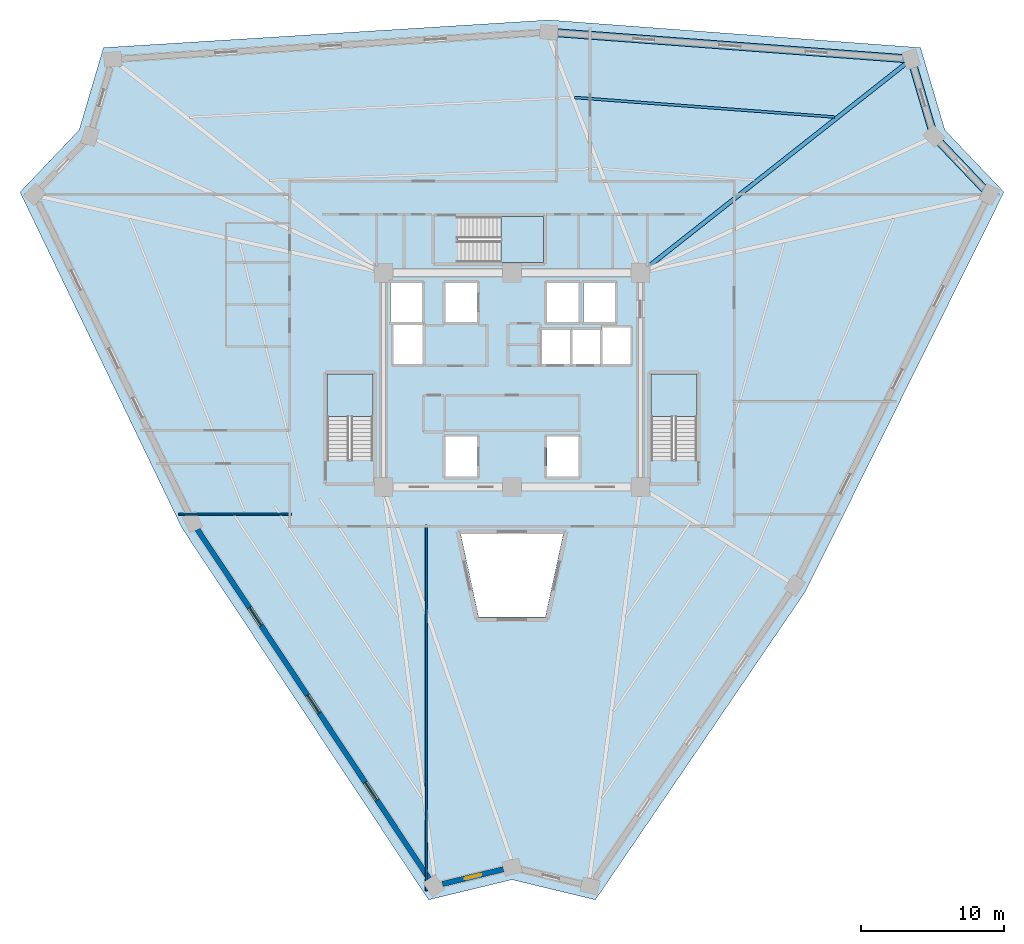
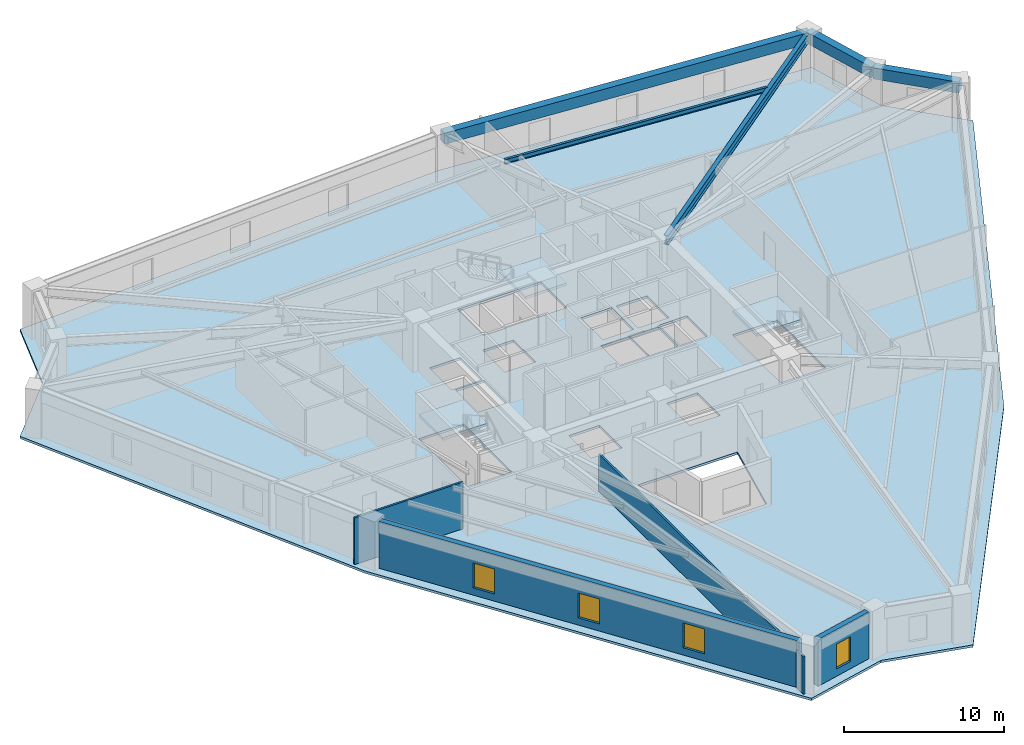
# One storey, part 2 of 8: 5 beams, 4 slabs, 4 walls, 4 windows, 4 openings, 3 elements without a shape of their own.
"""IFC4 building model written with IfcOpenShell, lengths in metres."""

from ifc_helpers import new_model, si_unit, direction, frame, frame_2d, origin, origin_2d, place, context, subcontext, project, spatial, polyline, rectangle, i_section, outline, extrude, source, transform, mapped, material, layer, layer_set, material_profile, profile_set, type_object, element, fill, aggregate, save


model = new_model("IFC4")

# Units and contexts
model_context = context("Model", 3, precision=1e-05, world=origin(), true_north=direction((0.0, 1.0)))
body_context = subcontext(model_context, "Body", "Model", "MODEL_VIEW")
ifc_project = project(units=[si_unit("LENGTHUNIT", "METRE"), si_unit("AREAUNIT", "SQUARE_METRE"), si_unit("VOLUMEUNIT", "CUBIC_METRE"), si_unit("PLANEANGLEUNIT", "RADIAN"), si_unit("MASSUNIT", "GRAM", prefix="KILO")], contexts=[model_context])

# Site, building, storey
site_placement = place(None, origin())
site = spatial("IfcSite", under=ifc_project, at=site_placement, CompositionType="ELEMENT")
building_placement = place(site_placement, origin())
building = spatial("IfcBuilding", under=site, at=building_placement, Name="Liaohun Quay Tower", CompositionType="ELEMENT")
storey_placement = place(building_placement, frame((0.0, 0.0, 220.5)))
storey = spatial("IfcBuildingStorey", under=building, at=storey_placement, Name="L57", CompositionType="ELEMENT", Elevation=220.5)

# Beams
ifc_material_1 = material(Name="Precast concrete C50", Category="concrete")
ifc_material_profile_1 = material_profile(ifc_material_1, rectangle(XDim=0.550048828125, YDim=0.85009765625, at=origin_2d()), Name="RC550x850")
ifc_profile_set_1 = profile_set([ifc_material_profile_1], Name="Precast concrete C50")
beam_type_1 = type_object("IfcBeamType", Name="BM-SPD-Z3", PredefinedType="SPANDREL", material=ifc_profile_set_1)
shared_shape_1 = source(origin(), body_context, "Body", "SweptSolid", [
    extrude(rectangle(XDim=0.550048828125, YDim=0.85009765625, at=origin_2d()), origin(), (0.0, 0.0, 1.0), 25.450927734375),
])
beam_1_placement = place(storey_placement, frame((62.569091796875, 78.340087890625, 3.14501953125), z_axis=(0.997244200205, -0.074188982728, 0.0), x_axis=(0.074188982728, 0.997244200205, 0.0)))
element("IfcBeam", 1, at=beam_1_placement, inside=storey, type_object=beam_type_1, Name="L57 Precast Spandrel Beam PC06-PC07", PredefinedType="SPANDREL", context=body_context, shape_type="MappedRepresentation", body=[
    mapped(shared_shape_1, transform((0.0, 0.0, 0.0), x_axis=(1.0, 0.0, 0.0), y_axis=(0.0, 1.0, 0.0), z_axis=(0.0, 0.0, 1.0), scale=1.0)),
])
shared_shape_2 = source(origin(), body_context, "Body", "SweptSolid", [
    extrude(rectangle(XDim=0.550048828125, YDim=0.85009765625, at=origin_2d()), origin(), (0.0, 0.0, 1.0), 5.626708984375),
])
beam_2_placement = place(storey_placement, frame((87.949951171875, 76.451904296875, 3.14501953125), z_axis=(0.282774698991, -0.959186358124, 0.0), x_axis=(0.959186358124, 0.282774698991, 0.0)))
element("IfcBeam", 2, at=beam_2_placement, inside=storey, type_object=beam_type_1, Name="L57 Precast Spandrel Beam PC07-PC08", PredefinedType="SPANDREL", context=body_context, shape_type="MappedRepresentation", body=[
    mapped(shared_shape_2, transform((0.0, 0.0, 0.0), x_axis=(1.0, 0.0, 0.0), y_axis=(0.0, 1.0, 0.0), z_axis=(0.0, 0.0, 1.0), scale=1.0)),
])
shared_shape_3 = source(origin(), body_context, "Body", "SweptSolid", [
    extrude(rectangle(XDim=0.550048828125, YDim=0.85009765625, at=origin_2d()), origin(), (0.0, 0.0, 1.0), 5.6181640625),
])
beam_3_placement = place(storey_placement, frame((89.541015625, 71.054931640625, 3.14501953125), z_axis=(0.689377337455, -0.724402434151, 0.0), x_axis=(0.724402434151, 0.689377337455, 0.0)))
element("IfcBeam", 3, at=beam_3_placement, inside=storey, type_object=beam_type_1, Name="L57 Precast Spandrel Beam PC08-PC09", PredefinedType="SPANDREL", context=body_context, shape_type="MappedRepresentation", body=[
    mapped(shared_shape_3, transform((0.0, 0.0, 0.0), x_axis=(1.0, 0.0, 0.0), y_axis=(0.0, 1.0, 0.0), z_axis=(0.0, 0.0, 1.0), scale=1.0)),
])
ifc_material_2 = material(Name="Steel Q355D", Category="steel")
ifc_material_profile_2 = material_profile(ifc_material_2, i_section(OverallWidth=0.300048828125, OverallDepth=0.699951171875, WebThickness=0.012939453125, FlangeThickness=0.02392578125, at=origin_2d()), Name="HN700x300x13x24")
ifc_profile_set_2 = profile_set([ifc_material_profile_2], Name="Steel Q355D")
beam_type_2 = type_object("IfcBeamType", Name="BM-RAD-U1", PredefinedType="BEAM", material=ifc_profile_set_2)
shared_shape_4 = source(origin(), body_context, "Body", "SweptSolid", [
    extrude(i_section(OverallWidth=0.300048828125, OverallDepth=0.699951171875, WebThickness=0.012939453125, FlangeThickness=0.02392578125, at=origin_2d()), origin(), (0.0, 0.0, 1.0), 23.750244140625),
])
beam_4_placement = place(storey_placement, frame((69.0, 61.5, 3.219970703125), z_axis=(0.78520630337, 0.619234253856, 0.0), x_axis=(-0.619234253856, 0.78520630337, 0.0)))
element("IfcBeam", 4, at=beam_4_placement, inside=storey, type_object=beam_type_2, Name="L57 Radial Primary Girder CC4-PC07", PredefinedType="BEAM", context=body_context, shape_type="MappedRepresentation", body=[
    mapped(shared_shape_4, transform((0.0, 0.0, 0.0), x_axis=(1.0, 0.0, 0.0), y_axis=(0.0, 1.0, 0.0), z_axis=(0.0, 0.0, 1.0), scale=1.0)),
])
ifc_material_profile_3 = material_profile(ifc_material_2, i_section(OverallWidth=0.175048828125, OverallDepth=0.35009765625, WebThickness=0.007080078125, FlangeThickness=0.010986328125, at=origin_2d()), Name="HN350x175x7x11")
ifc_profile_set_3 = profile_set([ifc_material_profile_3], Name="Steel Q355D")
beam_type_3 = type_object("IfcBeamType", Name="BM-SEC-J3", PredefinedType="JOIST", material=ifc_profile_set_3)
shared_shape_5 = source(origin(), body_context, "Body", "SweptSolid", [
    extrude(i_section(OverallWidth=0.175048828125, OverallDepth=0.35009765625, WebThickness=0.007080078125, FlangeThickness=0.010986328125, at=origin_2d()), origin(), (0.0, 0.0, 1.0), 18.2431640625),
])
beam_5_placement = place(storey_placement, frame((64.386962890625, 73.764892578125, 3.39501953125), z_axis=(0.997196938964, -0.074821553858, 0.0), x_axis=(0.074821553858, 0.997196938964, 0.0)))
element("IfcBeam", 5, at=beam_5_placement, inside=storey, type_object=beam_type_3, Name="L57 Wing Secondary Floor Joist SJ-09", PredefinedType="JOIST", context=body_context, shape_type="MappedRepresentation", body=[
    mapped(shared_shape_5, transform((0.0, 0.0, 0.0), x_axis=(1.0, 0.0, 0.0), y_axis=(0.0, 1.0, 0.0), z_axis=(0.0, 0.0, 1.0), scale=1.0)),
])

# Stair, slab
ifc_material_3 = material(Name="Concrete C45", Category="concrete")
stair_type = type_object("IfcStairType", Name="STR-CORE-OFF", PredefinedType="HALF_TURN_STAIR", material=ifc_material_3)
stair_1_placement = place(storey_placement, origin())
stair_1 = element("IfcStair", 6, at=stair_1_placement, inside=storey, type_object=stair_type, Name="L57 Smokeproof Core Exit Stair ST-1", PredefinedType="HALF_TURN_STAIR")
ifc_layer_1 = layer(ifc_material_3, 0.199951171875, Name="Concrete C45", Category="concrete")
ifc_layer_set_1 = layer_set([ifc_layer_1], Name="Concrete C45")
slab_type_1 = type_object("IfcSlabType", Name="SLB-LND-200", PredefinedType="LANDING", material=ifc_layer_set_1)
slab_1_placement = place(storey_placement, frame((0.0, 0.0, 1.675048828125)))
slab_1 = element("IfcSlab", 7, at=slab_1_placement, type_object=slab_type_1, Name="ST-1 landing 1", PredefinedType="LANDING", context=body_context, shape_type="SweptSolid", body=[
    extrude(outline(polyline([(50.280029296875, 51.429931640625), (50.280029296875, 54.419921875), (47.0400390625, 54.419921875), (47.0400390625, 51.429931640625), (50.280029296875, 51.429931640625)])), origin(), (0.0, 0.0, 1.0), 0.199951171875),
])
aggregate(stair_1, [slab_1])

stair_2_placement = place(storey_placement, origin())
stair_2 = element("IfcStair", 8, at=stair_2_placement, inside=storey, type_object=stair_type, Name="L57 Smokeproof Core Exit Stair ST-2", PredefinedType="HALF_TURN_STAIR")
slab_2_placement = place(storey_placement, frame((0.0, 0.0, 1.675048828125)))
slab_2 = element("IfcSlab", 9, at=slab_2_placement, type_object=slab_type_1, Name="ST-2 landing 1", PredefinedType="LANDING", context=body_context, shape_type="SweptSolid", body=[
    extrude(outline(polyline([(72.9599609375, 51.429931640625), (72.9599609375, 54.419921875), (69.719970703125, 54.419921875), (69.719970703125, 51.429931640625), (72.9599609375, 51.429931640625)])), origin(), (0.0, 0.0, 1.0), 0.199951171875),
])
aggregate(stair_2, [slab_2])

stair_3_placement = place(storey_placement, origin())
stair_3 = element("IfcStair", 10, at=stair_3_placement, inside=storey, type_object=stair_type, Name="L57 Smokeproof Core Exit Stair ST-3", PredefinedType="HALF_TURN_STAIR")
slab_3_placement = place(storey_placement, frame((0.0, 0.0, 1.675048828125)))
slab_3 = element("IfcSlab", 11, at=slab_3_placement, type_object=slab_type_1, Name="ST-3 landing 1", PredefinedType="LANDING", context=body_context, shape_type="SweptSolid", body=[
    extrude(outline(polyline([(59.22998046875, 62.199951171875), (62.219970703125, 62.199951171875), (62.219970703125, 65.43994140625), (59.22998046875, 65.43994140625), (59.22998046875, 62.199951171875)])), origin(), (0.0, 0.0, 1.0), 0.199951171875),
])
aggregate(stair_3, [slab_3])

# Slab
ifc_layer_2 = layer(ifc_material_3, 0.179931640625, Name="Concrete C45", Category="concrete")
ifc_layer_set_2 = layer_set([ifc_layer_2], Name="Concrete C45")
slab_type_2 = type_object("IfcSlabType", Name="SLB-OFF-180", PredefinedType="FLOOR", material=ifc_layer_set_2)
slab_4_placement = place(storey_placement, frame((0.0, 0.0, -0.179931640625)))
element("IfcSlab", 12, at=slab_4_placement, inside=storey, type_object=slab_type_2, Name="L57 Structural Floor Slab", PredefinedType="FLOOR", context=body_context, shape_type="SweptSolid", body=[
    extrude(outline(polyline([(54.158935546875, 17.60400390625), (60.0, 19.014892578125), (65.841064453125, 17.60400390625), (80.530029296875, 39.175048828125), (94.43994140625, 67.139892578125), (90.298095703125, 71.491943359375), (88.59912109375, 77.256103515625), (62.573974609375, 79.19189453125), (31.40087890625, 77.256103515625), (29.701904296875, 71.491943359375), (25.56005859375, 67.139892578125), (36.89599609375, 43.633056640625), (54.158935546875, 17.60400390625)]), holes=[polyline([(63.591064453125, 43.199951171875), (56.408935546875, 43.199951171875), (57.666015625, 37.385986328125), (62.333984375, 37.385986328125), (63.591064453125, 43.199951171875)]), polyline([(57.56005859375, 47.2099609375), (57.56005859375, 50.030029296875), (55.340087890625, 50.030029296875), (55.340087890625, 47.2099609375), (57.56005859375, 47.2099609375)]), polyline([(50.280029296875, 54.419921875), (47.0400390625, 54.419921875), (47.0400390625, 48.409912109375), (50.280029296875, 48.409912109375), (50.280029296875, 54.419921875)]), polyline([(53.760009765625, 55.090087890625), (53.760009765625, 57.909912109375), (51.7099609375, 57.909912109375), (51.7099609375, 55.090087890625), (53.760009765625, 55.090087890625)]), polyline([(53.7099609375, 58.0400390625), (53.7099609375, 60.7900390625), (51.489990234375, 60.7900390625), (51.489990234375, 58.0400390625), (53.7099609375, 58.0400390625)]), polyline([(57.56005859375, 58.0400390625), (57.56005859375, 60.7900390625), (55.340087890625, 60.7900390625), (55.340087890625, 58.0400390625), (57.56005859375, 58.0400390625)]), polyline([(62.219970703125, 62.199951171875), (62.219970703125, 65.43994140625), (56.2099609375, 65.43994140625), (56.2099609375, 62.199951171875), (62.219970703125, 62.199951171875)]), polyline([(64.659912109375, 50.030029296875), (62.43994140625, 50.030029296875), (62.43994140625, 47.2099609375), (64.659912109375, 47.2099609375), (64.659912109375, 50.030029296875)]), polyline([(72.9599609375, 54.419921875), (69.719970703125, 54.419921875), (69.719970703125, 48.409912109375), (72.9599609375, 48.409912109375), (72.9599609375, 54.419921875)]), polyline([(64.06005859375, 55.090087890625), (64.06005859375, 57.510009765625), (61.989990234375, 57.510009765625), (61.989990234375, 55.090087890625), (64.06005859375, 55.090087890625)]), polyline([(66.159912109375, 55.090087890625), (66.159912109375, 57.510009765625), (64.090087890625, 57.510009765625), (64.090087890625, 55.090087890625), (66.159912109375, 55.090087890625)]), polyline([(68.2900390625, 55.090087890625), (68.2900390625, 57.659912109375), (66.2900390625, 57.659912109375), (66.2900390625, 55.090087890625), (68.2900390625, 55.090087890625)]), polyline([(64.659912109375, 58.0400390625), (64.659912109375, 60.7900390625), (62.43994140625, 60.7900390625), (62.43994140625, 58.0400390625), (64.659912109375, 58.0400390625)]), polyline([(67.2099609375, 58.0400390625), (67.2099609375, 60.7900390625), (64.989990234375, 60.7900390625), (64.989990234375, 58.0400390625), (67.2099609375, 58.0400390625)])]), origin(), (0.0, 0.0, 1.0), 0.179931640625),
])

# Wall, openings, windows
ifc_material_4 = material(Name="Precast concrete C50 insulated sandwich", Category="concrete")
ifc_layer_3 = layer(ifc_material_4, 0.3798828125, Name="Precast concrete C50 insulated sandwich", Category="concrete")
ifc_layer_set_3 = layer_set([ifc_layer_3], Name="Precast concrete C50 insulated sandwich")
wall_type_1 = type_object("IfcWallType", Name="WAL-EXT-Z34", PredefinedType="SOLIDWALL", material=ifc_layer_set_3)
wall_1_placement = place(storey_placement, frame((37.97607421875, 43.541015625, 0.0), z_axis=(0.0, 0.0, 1.0), x_axis=(0.552730970618, -0.833359750719, 0.0)))
wall_1 = element("IfcWall", 13, at=wall_1_placement, inside=storey, type_object=wall_type_1, Name="L57 Brutalist Precast Pier Wall 11", PredefinedType="SOLIDWALL", context=body_context, shape_type="SweptSolid", body=[
    extrude(rectangle(XDim=29.3486328125, YDim=0.3798828125, at=frame_2d((14.67431640625, 0.0))), origin(), (0.0, 0.0, 1.0), 3.570068359375),
])
shared_shape_6 = source(origin(), body_context, "Body", "SweptSolid", [
    extrude(rectangle(XDim=1.5, YDim=1.89990234375, at=frame_2d((0.75, 0.949951171875))), frame((0.0, 0.199951171875, 0.0), z_axis=(0.0, -1.0, 0.0), x_axis=(1.0, 0.0, 0.0)), (0.0, 0.0, 1.0), 0.39990234375),
])
opening_1_placement = place(wall_1_placement, frame((6.5869140625, 0.0, 0.550048828125)))
opening_1 = element("IfcOpeningElement", 14, at=opening_1_placement, cuts=wall_1, Name="Opening W03", PredefinedType="OPENING", context=body_context, shape_type="MappedRepresentation", body=[
    mapped(shared_shape_6, transform((0.0, 0.0, 0.0), x_axis=(1.0, 0.0, 0.0), y_axis=(0.0, 1.0, 0.0), z_axis=(0.0, 0.0, 1.0), scale=1.0)),
])
opening_2_placement = place(wall_1_placement, frame((13.924072265625, 0.0, 0.550048828125)))
opening_2 = element("IfcOpeningElement", 15, at=opening_2_placement, cuts=wall_1, Name="Opening W03", PredefinedType="OPENING", context=body_context, shape_type="MappedRepresentation", body=[
    mapped(shared_shape_6, transform((0.0, 0.0, 0.0), x_axis=(1.0, 0.0, 0.0), y_axis=(0.0, 1.0, 0.0), z_axis=(0.0, 0.0, 1.0), scale=1.0)),
])
opening_3_placement = place(wall_1_placement, frame((21.261962890625, 0.0, 0.550048828125)))
opening_3 = element("IfcOpeningElement", 16, at=opening_3_placement, cuts=wall_1, Name="Opening W03", PredefinedType="OPENING", context=body_context, shape_type="MappedRepresentation", body=[
    mapped(shared_shape_6, transform((0.0, 0.0, 0.0), x_axis=(1.0, 0.0, 0.0), y_axis=(0.0, 1.0, 0.0), z_axis=(0.0, 0.0, 1.0), scale=1.0)),
])
ifc_material_5 = material(Name="Triple Low-E argon glazing in thermally broken aluminium", Category="aluminium")
window_type_1 = type_object("IfcWindowType", Name="WIN-PUN-Z3", PartitioningType="DOUBLE_PANEL_VERTICAL", PredefinedType="WINDOW", material=ifc_material_5)
shared_shape_7 = source(origin(), body_context, "Body", "SweptSolid", [
    extrude(rectangle(XDim=1.5, YDim=1.89990234375, at=frame_2d((0.75, 0.949951171875))), frame((0.0, 0.030029296875, 0.0), z_axis=(0.0, -1.0, 0.0), x_axis=(1.0, 0.0, 0.0)), (0.0, 0.0, 1.0), 0.06005859375),
])
window_1_placement = place(opening_1_placement, origin())
window_1 = element("IfcWindow", 17, at=window_1_placement, inside=storey, type_object=window_type_1, Name="L57 Recessed Cold-Climate Punched Window 11-1", OverallHeight=1.89990234375, OverallWidth=1.5, PartitioningType="DOUBLE_PANEL_VERTICAL", PredefinedType="WINDOW", context=body_context, shape_type="MappedRepresentation", body=[
    mapped(shared_shape_7, transform((0.0, 0.0, 0.0), x_axis=(1.0, 0.0, 0.0), y_axis=(0.0, 1.0, 0.0), z_axis=(0.0, 0.0, 1.0), scale=1.0)),
])
fill(opening_1, window_1)
window_2_placement = place(opening_2_placement, origin())
window_2 = element("IfcWindow", 18, at=window_2_placement, inside=storey, type_object=window_type_1, Name="L57 Recessed Cold-Climate Punched Window 11-2", OverallHeight=1.89990234375, OverallWidth=1.5, PartitioningType="DOUBLE_PANEL_VERTICAL", PredefinedType="WINDOW", context=body_context, shape_type="MappedRepresentation", body=[
    mapped(shared_shape_7, transform((0.0, 0.0, 0.0), x_axis=(1.0, 0.0, 0.0), y_axis=(0.0, 1.0, 0.0), z_axis=(0.0, 0.0, 1.0), scale=1.0)),
])
fill(opening_2, window_2)
window_3_placement = place(opening_3_placement, origin())
window_3 = element("IfcWindow", 19, at=window_3_placement, inside=storey, type_object=window_type_1, Name="L57 Recessed Cold-Climate Punched Window 11-3", OverallHeight=1.89990234375, OverallWidth=1.5, PartitioningType="DOUBLE_PANEL_VERTICAL", PredefinedType="WINDOW", context=body_context, shape_type="MappedRepresentation", body=[
    mapped(shared_shape_7, transform((0.0, 0.0, 0.0), x_axis=(1.0, 0.0, 0.0), y_axis=(0.0, 1.0, 0.0), z_axis=(0.0, 0.0, 1.0), scale=1.0)),
])
fill(opening_3, window_3)

# Wall, opening, window
wall_2_placement = place(storey_placement, frame((55.135986328125, 18.714111328125, 0.0), z_axis=(0.0, 0.0, 1.0), x_axis=(0.972016981831, 0.234910593698, 0.0)))
wall_2 = element("IfcWall", 20, at=wall_2_placement, inside=storey, type_object=wall_type_1, Name="L57 Brutalist Precast Pier Wall 12", PredefinedType="SOLIDWALL", context=body_context, shape_type="SweptSolid", body=[
    extrude(rectangle(XDim=4.388916015625, YDim=0.3798828125, at=frame_2d((2.1943359375, 0.0))), origin(), (0.0, 0.0, 1.0), 3.570068359375),
])
shared_shape_8 = source(origin(), body_context, "Body", "SweptSolid", [
    extrude(rectangle(XDim=1.199951171875, YDim=1.89990234375, at=frame_2d((0.60009765625, 0.949951171875))), frame((0.0, 0.199951171875, 0.0), z_axis=(0.0, -1.0, 0.0), x_axis=(1.0, 0.0, 0.0)), (0.0, 0.0, 1.0), 0.39990234375),
])
opening_4_placement = place(wall_2_placement, frame((1.593994140625, 0.0, 0.550048828125)))
opening_4 = element("IfcOpeningElement", 21, at=opening_4_placement, cuts=wall_2, Name="Opening W05", PredefinedType="OPENING", context=body_context, shape_type="MappedRepresentation", body=[
    mapped(shared_shape_8, transform((0.0, 0.0, 0.0), x_axis=(1.0, 0.0, 0.0), y_axis=(0.0, 1.0, 0.0), z_axis=(0.0, 0.0, 1.0), scale=1.0)),
])
ifc_material_6 = material(Name="Triple Low-E corner notch glazing", Category="glass")
window_type_2 = type_object("IfcWindowType", Name="WIN-NOTCH", PartitioningType="SINGLE_PANEL", PredefinedType="WINDOW", material=ifc_material_6)
shared_shape_9 = source(origin(), body_context, "Body", "SweptSolid", [
    extrude(rectangle(XDim=1.199951171875, YDim=1.89990234375, at=frame_2d((0.60009765625, 0.949951171875))), frame((0.0, 0.030029296875, 0.0), z_axis=(0.0, -1.0, 0.0), x_axis=(1.0, 0.0, 0.0)), (0.0, 0.0, 1.0), 0.06005859375),
])
window_4_placement = place(opening_4_placement, origin())
window_4 = element("IfcWindow", 22, at=window_4_placement, inside=storey, type_object=window_type_2, Name="L57 Corner Notch Window W05-12", OverallHeight=1.89990234375, OverallWidth=1.199951171875, PartitioningType="SINGLE_PANEL", PredefinedType="WINDOW", context=body_context, shape_type="MappedRepresentation", body=[
    mapped(shared_shape_9, transform((0.0, 0.0, 0.0), x_axis=(1.0, 0.0, 0.0), y_axis=(0.0, 1.0, 0.0), z_axis=(0.0, 0.0, 1.0), scale=1.0)),
])
fill(opening_4, window_4)

# Walls
ifc_material_7 = material(Name="Gypsum board on twin steel studs", Category="steel")
ifc_layer_4 = layer(ifc_material_7, 0.139892578125, Name="Gypsum board on twin steel studs", Category="steel")
ifc_layer_set_4 = layer_set([ifc_layer_4], Name="Gypsum board on twin steel studs")
wall_type_2 = type_object("IfcWallType", Name="WAL-PRT-OFF", PredefinedType="PARTITIONING", material=ifc_layer_set_4)
wall_3_placement = place(storey_placement, frame((44.5400390625, 44.60009765625, 0.0), z_axis=(0.0, 0.0, 1.0), x_axis=(-1.0, 0.0, 0.0)))
element("IfcWall", 23, at=wall_3_placement, inside=storey, type_object=wall_type_2, Name="L57 Interior Partition Wall 049", PredefinedType="PARTITIONING", context=body_context, shape_type="SweptSolid", body=[
    extrude(rectangle(XDim=7.865966796875, YDim=0.139892578125, at=frame_2d((3.93310546875, 0.0))), origin(), (0.0, 0.0, 1.0), 3.570068359375),
])
wall_4_placement = place(storey_placement, frame((54.0, 43.840087890625, 0.0), z_axis=(0.0, 0.0, 1.0), x_axis=(0.0, -1.0, 0.0)))
element("IfcWall", 24, at=wall_4_placement, inside=storey, type_object=wall_type_2, Name="L57 Interior Partition Wall 054", PredefinedType="PARTITIONING", context=body_context, shape_type="SweptSolid", body=[
    extrude(rectangle(XDim=25.59814453125, YDim=0.139892578125, at=frame_2d((12.799072265625, 0.0))), origin(), (0.0, 0.0, 1.0), 2.85498046875),
])

save(model, "model.ifc")
